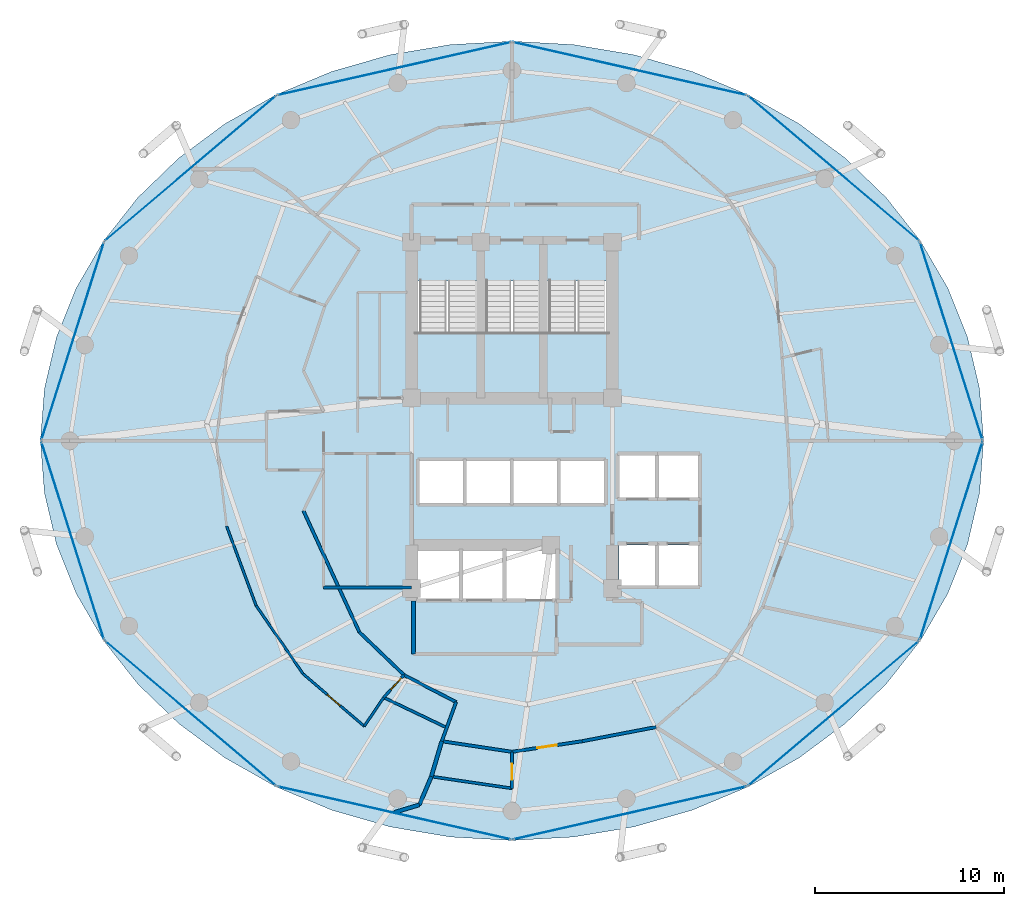
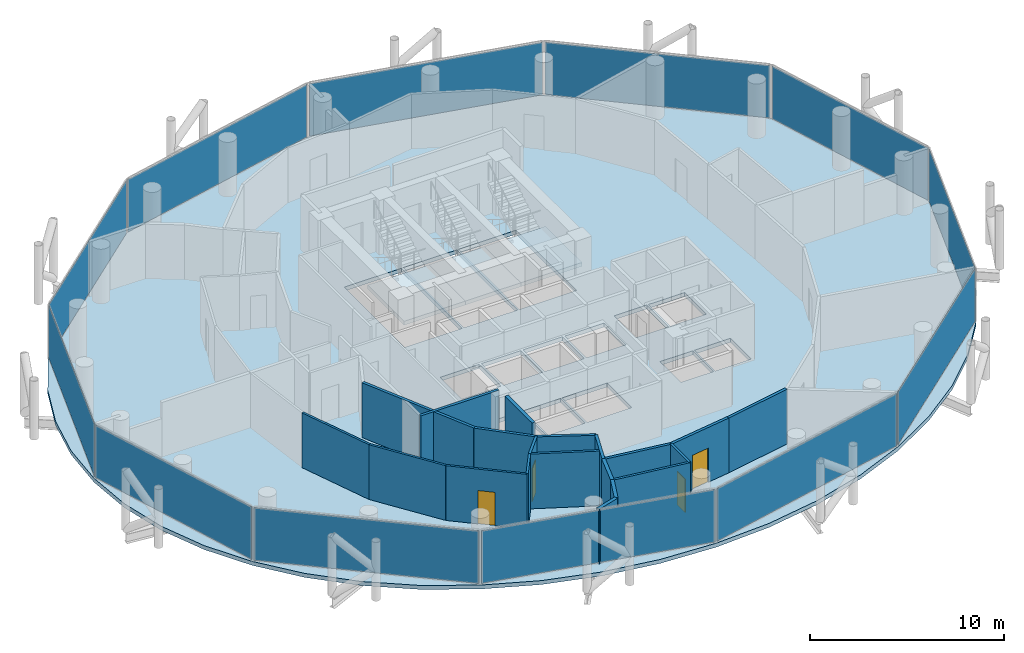
# One storey, part 21 of 26: 20 walls, 12 plates, 4 doors, 4 slabs, 4 openings, 15 elements without a shape of their own.
"""IFC4 building model written with IfcOpenShell, lengths in metres."""

import ifcopenshell
import ifcopenshell.guid

model = None  # the IFC model being written
_history = None  # IfcOwnerHistory: only IFC2X3 demands one
_inside = {}  # id of a spatial element -> (the spatial element, [elements in it])
_under = {}  # id of a project, library or spatial element -> (it, [spatial elements below it])
_declared = {}  # id of a project -> (the project, [libraries it declares])
_typed = {}  # id of a type object -> (the type object, [elements of that type])
_made_of = {}  # id of a material, layer set ... -> (it, [elements and type objects made of it])


def new_model(schema):
    """Start an empty IFC model of exactly this schema.

    Asked for "IFC4X3", IfcOpenShell would pick the latest addendum, in which some entities
    have other attributes; the version numbers below select the first issue.
    IFC2X3 requires an IfcOwnerHistory on every rooted entity: one is made here for all.
    """
    global model, _history
    if schema == "IFC4X3":
        model = ifcopenshell.file(schema_version=(4, 3, 0, 0))
    else:
        model = ifcopenshell.file(schema=schema)
    _inside.clear()
    _under.clear()
    _declared.clear()
    _typed.clear()
    _made_of.clear()
    _history = None
    if model.schema == "IFC2X3":
        org = make("IfcOrganization", Name="unknown")
        user = make(
            "IfcPersonAndOrganization",
            ThePerson=make("IfcPerson", FamilyName="unknown"),
            TheOrganization=org,
        )
        app = make(
            "IfcApplication",
            ApplicationDeveloper=org,
            Version="unknown",
            ApplicationFullName="unknown",
            ApplicationIdentifier="unknown",
        )
        _history = make(
            "IfcOwnerHistory",
            OwningUser=user,
            OwningApplication=app,
            ChangeAction="ADDED",
            CreationDate=0,
        )
    return model


def make(cls, **values):
    """One entity of the class cls with the attributes given. An attribute that is None is left unset."""
    return model.create_entity(
        cls, **{name: value for name, value in values.items() if value is not None}
    )


def rooted(cls, **values):
    """An entity with a GlobalId (a new one), such as an element, a storey or a relation."""
    return make(cls, GlobalId=ifcopenshell.guid.new(), OwnerHistory=_history, **values)


def si_unit(unit_type, name, prefix=None):
    """IfcSIUnit, for example si_unit("LENGTHUNIT", "METRE", prefix="MILLI")."""
    return make("IfcSIUnit", UnitType=unit_type, Prefix=prefix, Name=name)


def assignment(units):
    """IfcUnitAssignment: the units of a project."""
    return None if units is None else make("IfcUnitAssignment", Units=units)


def point(xyz):
    """IfcCartesianPoint."""
    return None if xyz is None else make("IfcCartesianPoint", Coordinates=xyz)


def direction(xyz):
    """IfcDirection."""
    return None if xyz is None else make("IfcDirection", DirectionRatios=xyz)


def frame(location, z_axis=None, x_axis=None):
    """IfcAxis2Placement3D, a coordinate frame: its origin and axes. An axis left out is left unset."""
    return make(
        "IfcAxis2Placement3D",
        Location=point(location),
        Axis=direction(z_axis),
        RefDirection=direction(x_axis),
    )


def frame_2d(location, x_axis=None):
    """IfcAxis2Placement2D, a coordinate frame in the plane: its origin and x axis."""
    return make(
        "IfcAxis2Placement2D", Location=point(location), RefDirection=direction(x_axis)
    )


def origin():
    """The frame at (0, 0, 0) with its axes left unset."""
    return frame((0.0, 0.0, 0.0))


def origin_2d():
    """The frame at (0, 0) in the plane with its x axis left unset."""
    return frame_2d((0.0, 0.0))


def place(relative_to, where):
    """IfcLocalPlacement: puts the frame where relative to a parent placement (None: the world)."""
    return make(
        "IfcLocalPlacement", PlacementRelTo=relative_to, RelativePlacement=where
    )


def context(
    kind, dimensions, precision=None, world=None, true_north=None, identifier=None
):
    """IfcGeometricRepresentationContext, for example the 3D "Model" context."""
    return make(
        "IfcGeometricRepresentationContext",
        ContextIdentifier=identifier,
        ContextType=kind,
        CoordinateSpaceDimension=dimensions,
        Precision=precision,
        WorldCoordinateSystem=world,
        TrueNorth=true_north,
    )


def subcontext(parent, identifier, kind, view, scale=None):
    """IfcGeometricRepresentationSubContext, for example "Body" below "Model"."""
    return make(
        "IfcGeometricRepresentationSubContext",
        ContextIdentifier=identifier,
        ContextType=kind,
        ParentContext=parent,
        TargetScale=scale,
        TargetView=view,
    )


def project(units=None, contexts=None):
    """IfcProject with its units and contexts."""
    return rooted(
        "IfcProject",
        Name="project",
        RepresentationContexts=contexts,
        UnitsInContext=assignment(units),
    )


def spatial(cls, under=None, at=None, **own):
    """A site, building, storey or space (cls), placed at a placement, below another one or the project."""
    s = rooted(cls, ObjectPlacement=at, **own)
    if under is not None:
        _under.setdefault(under.id(), (under, []))[1].append(s)
    return s


def polyline(points):
    """IfcPolyline through the points."""
    return make("IfcPolyline", Points=[point(p) for p in points])


def profile(cls, at=None, kind="AREA", **sizes):
    """A parametric profile (cls). Its sizes go by their IFC names, for example OverallWidth=200.0."""
    return make(cls, ProfileType=kind, Position=at, **sizes)


def rectangle(**sizes):
    """IfcRectangleProfileDef."""
    return profile("IfcRectangleProfileDef", **sizes)


def outline(outer, holes=None, kind="AREA"):
    """IfcArbitraryClosedProfileDef: a profile drawn as a closed curve; with holes, ...WithVoids."""
    if holes is None:
        return make("IfcArbitraryClosedProfileDef", ProfileType=kind, OuterCurve=outer)
    return make(
        "IfcArbitraryProfileDefWithVoids",
        ProfileType=kind,
        OuterCurve=outer,
        InnerCurves=holes,
    )


def extrude(swept, where, along, depth):
    """IfcExtrudedAreaSolid: the profile swept, set in the frame where, extruded along a direction by depth."""
    return make(
        "IfcExtrudedAreaSolid",
        SweptArea=swept,
        Position=where,
        ExtrudedDirection=direction(along),
        Depth=depth,
    )


def shape(context_of_items, identifier, shape_type, items):
    """IfcShapeRepresentation: the items that make up one representation, for example the "Body"."""
    return make(
        "IfcShapeRepresentation",
        ContextOfItems=context_of_items,
        RepresentationIdentifier=identifier,
        RepresentationType=shape_type,
        Items=items,
    )


def material(Name=None, Category=None):
    """IfcMaterial."""
    return make("IfcMaterial", Name=Name, Category=Category)


def layer(
    of_material, thickness, ventilated=None, Name=None, Category=None, Priority=None
):
    """IfcMaterialLayer: one layer of a wall or slab, of a material (None: an air gap)."""
    return make(
        "IfcMaterialLayer",
        Material=of_material,
        LayerThickness=thickness,
        IsVentilated=ventilated,
        Name=Name,
        Category=Category,
        Priority=Priority,
    )


def layer_set(layers, Name=None):
    """IfcMaterialLayerSet."""
    return make("IfcMaterialLayerSet", MaterialLayers=layers, LayerSetName=Name)


def made_of(thing, what):
    """Note that an element or type object is made of a material, layer set ...; save() writes the relation."""
    if what is not None:
        _made_of.setdefault(what.id(), (what, []))[1].append(thing)
    return thing


def type_object(cls, material=None, **own):
    """A type object (cls), such as IfcWallType, which elements share."""
    return made_of(rooted(cls, **own), material)


def element(
    cls,
    number,
    at=None,
    inside=None,
    cuts=None,
    type_object=None,
    material=None,
    context=None,
    identifier="Body",
    shape_type=None,
    held_by="IfcProductDefinitionShape",
    body=None,
    shapes=None,
    **own,
):
    """One element of the class cls, such as IfcWall. Its Tag is "e" and its number.

    at: its placement. inside: the storey or other place that contains it. cuts: it is an
    opening in that element (IfcRelVoidsElement). A single representation is given by context,
    identifier, shape_type and body (its items); several are given by shapes. held_by: the class
    of the entity that holds the representations. save() writes the other relations.
    """
    e = rooted(cls, Tag="e%d" % number, ObjectPlacement=at, **own)
    if body is not None:
        shapes = [shape(context, identifier, shape_type, body)]
    if shapes is not None:
        e.Representation = make(held_by, Representations=shapes)
    if inside is not None:
        _inside.setdefault(inside.id(), (inside, []))[1].append(e)
    if cuts is not None:
        rooted(
            "IfcRelVoidsElement", RelatingBuildingElement=cuts, RelatedOpeningElement=e
        )
    if type_object is not None:
        _typed.setdefault(type_object.id(), (type_object, []))[1].append(e)
    return made_of(e, material)


def fill(opening, filler):
    """IfcRelFillsElement: the door or window that sits in an opening."""
    return rooted(
        "IfcRelFillsElement",
        RelatingOpeningElement=opening,
        RelatedBuildingElement=filler,
    )


def aggregate(whole, parts):
    """IfcRelAggregates: a whole, such as a stair, and the parts it consists of."""
    return rooted("IfcRelAggregates", RelatingObject=whole, RelatedObjects=parts)


def save(model, path):
    """Write the relations noted so far, then the file.

    IfcRelAggregates (storeys below a building ...), IfcRelContainedInSpatialStructure (elements
    in a storey), IfcRelDefinesByType, IfcRelAssociatesMaterial and IfcRelDeclares: one each for
    every whole, place, type object, material and project.
    """
    for whole, parts in _under.values():
        aggregate(whole, parts)
    for where, things in _inside.values():
        rooted(
            "IfcRelContainedInSpatialStructure",
            RelatedElements=things,
            RelatingStructure=where,
        )
    for kind, things in _typed.values():
        rooted("IfcRelDefinesByType", RelatedObjects=things, RelatingType=kind)
    for what, things in _made_of.values():
        rooted("IfcRelAssociatesMaterial", RelatedObjects=things, RelatingMaterial=what)
    for by, libraries in _declared.values():
        rooted("IfcRelDeclares", RelatingContext=by, RelatedDefinitions=libraries)
    model.write(path)


model = new_model("IFC4")

# Units and contexts
model_context = context("Model", 3, precision=1e-05, world=origin(), true_north=direction((0.0, 1.0)))
body_context = subcontext(model_context, "Body", "Model", "MODEL_VIEW")
ifc_project = project(units=[si_unit("LENGTHUNIT", "METRE"), si_unit("AREAUNIT", "SQUARE_METRE"), si_unit("VOLUMEUNIT", "CUBIC_METRE"), si_unit("PLANEANGLEUNIT", "RADIAN"), si_unit("MASSUNIT", "GRAM", prefix="KILO")], contexts=[model_context])

# Site, building, storey
site_placement = place(None, origin())
site = spatial("IfcSite", under=ifc_project, at=site_placement, CompositionType="ELEMENT")
building_placement = place(site_placement, origin())
building = spatial("IfcBuilding", under=site, at=building_placement, Name="Nuhasar Tower", CompositionType="ELEMENT")
storey_placement = place(building_placement, frame((0.0, 0.0, 177.449951171875)))
storey = spatial("IfcBuildingStorey", under=building, at=storey_placement, Name="L43", CompositionType="ELEMENT", Elevation=177.449951171875)

# Curtain wall, plate
ifc_material_1 = material(Name="Aluminium 6063-T6", Category="aluminium")
ifc_layer_1 = layer(ifc_material_1, 0.199951171875)
ifc_layer_set_1 = layer_set([ifc_layer_1], Name="Aluminium 6063-T6")
curtain_wall_type = type_object("IfcCurtainWallType", Name="CW-Z2-HTL", PredefinedType="NOTDEFINED", material=ifc_layer_set_1)
curtain_wall_1_placement = place(storey_placement, origin())
curtain_wall_1 = element("IfcCurtainWall", 1, at=curtain_wall_1_placement, inside=storey, type_object=curtain_wall_type, Name="L43 Unitised Curtain Wall 01", PredefinedType="NOTDEFINED")
ifc_material_2 = material(Name="Glass Double Low-E", Category="glass")
ifc_layer_2 = layer(ifc_material_2, 0.028076171875)
ifc_layer_set_2 = layer_set([ifc_layer_2], Name="Glass Double Low-E")
plate_type = type_object("IfcPlateType", Name="CW-PANEL-GLZ", PredefinedType="CURTAIN_PANEL", material=ifc_layer_set_2)
plate_1_placement = place(storey_placement, frame((62.194580078125, 32.06494140625, 0.070068359375), z_axis=(0.0, 0.0, 1.0), x_axis=(-0.301603667577, 0.953433389233, 0.0)))
plate_1 = element("IfcPlate", 2, at=plate_1_placement, type_object=plate_type, Name="CW-Z2 panel 1.1", PredefinedType="CURTAIN_PANEL", context=body_context, shape_type="SweptSolid", body=[
    extrude(rectangle(XDim=10.904296875, YDim=0.028076171875, at=origin_2d()), origin(), (0.0, 0.0, 1.0), 3.31005859375),
])
aggregate(curtain_wall_1, [plate_1])

curtain_wall_2_placement = place(storey_placement, origin())
curtain_wall_2 = element("IfcCurtainWall", 3, at=curtain_wall_2_placement, inside=storey, type_object=curtain_wall_type, Name="L43 Unitised Curtain Wall 02", PredefinedType="NOTDEFINED")
plate_2_placement = place(storey_placement, frame((55.9794921875, 41.18408203125, 0.070068359375), z_axis=(0.0, 0.0, 1.0), x_axis=(-0.763020370292, 0.646374438324, 0.0)))
plate_2 = element("IfcPlate", 4, at=plate_2_placement, type_object=plate_type, Name="CW-Z2 panel 1.1", PredefinedType="CURTAIN_PANEL", context=body_context, shape_type="SweptSolid", body=[
    extrude(rectangle(XDim=11.784912109375, YDim=0.028076171875, at=origin_2d()), origin(), (0.0, 0.0, 1.0), 3.31005859375),
])
aggregate(curtain_wall_2, [plate_2])

curtain_wall_3_placement = place(storey_placement, origin())
curtain_wall_3 = element("IfcCurtainWall", 5, at=curtain_wall_3_placement, inside=storey, type_object=curtain_wall_type, Name="L43 Unitised Curtain Wall 03", PredefinedType="NOTDEFINED")
plate_3_placement = place(storey_placement, frame((45.215087890625, 46.448974609375, 0.070068359375), z_axis=(0.0, 0.0, 1.0), x_axis=(-0.975183694221, 0.22139729566, 0.0)))
plate_3 = element("IfcPlate", 6, at=plate_3_placement, type_object=plate_type, Name="CW-Z2 panel 1.1", PredefinedType="CURTAIN_PANEL", context=body_context, shape_type="SweptSolid", body=[
    extrude(rectangle(XDim=12.606201171875, YDim=0.028076171875, at=origin_2d()), origin(), (0.0, 0.0, 1.0), 3.31005859375),
])
aggregate(curtain_wall_3, [plate_3])

curtain_wall_4_placement = place(storey_placement, origin())
curtain_wall_4 = element("IfcCurtainWall", 7, at=curtain_wall_4_placement, inside=storey, type_object=curtain_wall_type, Name="L43 Unitised Curtain Wall 04", PredefinedType="NOTDEFINED")
plate_4_placement = place(storey_placement, frame((32.784912109375, 46.448974609375, 0.070068359375), z_axis=(0.0, 0.0, 1.0), x_axis=(-0.975183694221, -0.22139729566, 0.0)))
plate_4 = element("IfcPlate", 8, at=plate_4_placement, type_object=plate_type, Name="CW-Z2 panel 1.1", PredefinedType="CURTAIN_PANEL", context=body_context, shape_type="SweptSolid", body=[
    extrude(rectangle(XDim=12.606201171875, YDim=0.028076171875, at=origin_2d()), origin(), (0.0, 0.0, 1.0), 3.31005859375),
])
aggregate(curtain_wall_4, [plate_4])

curtain_wall_5_placement = place(storey_placement, origin())
curtain_wall_5 = element("IfcCurtainWall", 9, at=curtain_wall_5_placement, inside=storey, type_object=curtain_wall_type, Name="L43 Unitised Curtain Wall 05", PredefinedType="NOTDEFINED")
plate_5_placement = place(storey_placement, frame((22.0205078125, 41.18408203125, 0.070068359375), z_axis=(0.0, 0.0, 1.0), x_axis=(-0.763020370292, -0.646374438324, 0.0)))
plate_5 = element("IfcPlate", 10, at=plate_5_placement, type_object=plate_type, Name="CW-Z2 panel 1.1", PredefinedType="CURTAIN_PANEL", context=body_context, shape_type="SweptSolid", body=[
    extrude(rectangle(XDim=11.784912109375, YDim=0.028076171875, at=origin_2d()), origin(), (0.0, 0.0, 1.0), 3.31005859375),
])
aggregate(curtain_wall_5, [plate_5])

curtain_wall_6_placement = place(storey_placement, origin())
curtain_wall_6 = element("IfcCurtainWall", 11, at=curtain_wall_6_placement, inside=storey, type_object=curtain_wall_type, Name="L43 Unitised Curtain Wall 06", PredefinedType="NOTDEFINED")
plate_6_placement = place(storey_placement, frame((15.805419921875, 32.06494140625, 0.070068359375), z_axis=(0.0, 0.0, 1.0), x_axis=(-0.301603667577, -0.953433389233, 0.0)))
plate_6 = element("IfcPlate", 12, at=plate_6_placement, type_object=plate_type, Name="CW-Z2 panel 1.1", PredefinedType="CURTAIN_PANEL", context=body_context, shape_type="SweptSolid", body=[
    extrude(rectangle(XDim=10.904296875, YDim=0.028076171875, at=origin_2d()), origin(), (0.0, 0.0, 1.0), 3.31005859375),
])
aggregate(curtain_wall_6, [plate_6])

curtain_wall_7_placement = place(storey_placement, origin())
curtain_wall_7 = element("IfcCurtainWall", 13, at=curtain_wall_7_placement, inside=storey, type_object=curtain_wall_type, Name="L43 Unitised Curtain Wall 07", PredefinedType="NOTDEFINED")
plate_7_placement = place(storey_placement, frame((15.805419921875, 21.534912109375, 0.070068359375), z_axis=(0.0, 0.0, 1.0), x_axis=(0.301603667577, -0.953433389233, 0.0)))
plate_7 = element("IfcPlate", 14, at=plate_7_placement, type_object=plate_type, Name="CW-Z2 panel 1.1", PredefinedType="CURTAIN_PANEL", context=body_context, shape_type="SweptSolid", body=[
    extrude(rectangle(XDim=10.904296875, YDim=0.028076171875, at=origin_2d()), origin(), (0.0, 0.0, 1.0), 3.31005859375),
])
aggregate(curtain_wall_7, [plate_7])

curtain_wall_8_placement = place(storey_placement, origin())
curtain_wall_8 = element("IfcCurtainWall", 15, at=curtain_wall_8_placement, inside=storey, type_object=curtain_wall_type, Name="L43 Unitised Curtain Wall 08", PredefinedType="NOTDEFINED")
plate_8_placement = place(storey_placement, frame((22.0205078125, 12.416015625, 0.070068359375), z_axis=(0.0, 0.0, 1.0), x_axis=(0.763020370292, -0.646374438324, 0.0)))
plate_8 = element("IfcPlate", 16, at=plate_8_placement, type_object=plate_type, Name="CW-Z2 panel 1.1", PredefinedType="CURTAIN_PANEL", context=body_context, shape_type="SweptSolid", body=[
    extrude(rectangle(XDim=11.784912109375, YDim=0.028076171875, at=origin_2d()), origin(), (0.0, 0.0, 1.0), 3.31005859375),
])
aggregate(curtain_wall_8, [plate_8])

curtain_wall_9_placement = place(storey_placement, origin())
curtain_wall_9 = element("IfcCurtainWall", 17, at=curtain_wall_9_placement, inside=storey, type_object=curtain_wall_type, Name="L43 Unitised Curtain Wall 09", PredefinedType="NOTDEFINED")
plate_9_placement = place(storey_placement, frame((32.784912109375, 7.15087890625, 0.070068359375), z_axis=(0.0, 0.0, 1.0), x_axis=(0.975183694221, -0.22139729566, 0.0)))
plate_9 = element("IfcPlate", 18, at=plate_9_placement, type_object=plate_type, Name="CW-Z2 panel 1.1", PredefinedType="CURTAIN_PANEL", context=body_context, shape_type="SweptSolid", body=[
    extrude(rectangle(XDim=12.606201171875, YDim=0.028076171875, at=origin_2d()), origin(), (0.0, 0.0, 1.0), 3.31005859375),
])
aggregate(curtain_wall_9, [plate_9])

curtain_wall_10_placement = place(storey_placement, origin())
curtain_wall_10 = element("IfcCurtainWall", 19, at=curtain_wall_10_placement, inside=storey, type_object=curtain_wall_type, Name="L43 Unitised Curtain Wall 10", PredefinedType="NOTDEFINED")
plate_10_placement = place(storey_placement, frame((45.215087890625, 7.15087890625, 0.070068359375), z_axis=(0.0, 0.0, 1.0), x_axis=(0.975183694221, 0.22139729566, 0.0)))
plate_10 = element("IfcPlate", 20, at=plate_10_placement, type_object=plate_type, Name="CW-Z2 panel 1.1", PredefinedType="CURTAIN_PANEL", context=body_context, shape_type="SweptSolid", body=[
    extrude(rectangle(XDim=12.606201171875, YDim=0.028076171875, at=origin_2d()), origin(), (0.0, 0.0, 1.0), 3.31005859375),
])
aggregate(curtain_wall_10, [plate_10])

curtain_wall_11_placement = place(storey_placement, origin())
curtain_wall_11 = element("IfcCurtainWall", 21, at=curtain_wall_11_placement, inside=storey, type_object=curtain_wall_type, Name="L43 Unitised Curtain Wall 11", PredefinedType="NOTDEFINED")
plate_11_placement = place(storey_placement, frame((55.9794921875, 12.416015625, 0.070068359375), z_axis=(0.0, 0.0, 1.0), x_axis=(0.763020370292, 0.646374438324, 0.0)))
plate_11 = element("IfcPlate", 22, at=plate_11_placement, type_object=plate_type, Name="CW-Z2 panel 1.1", PredefinedType="CURTAIN_PANEL", context=body_context, shape_type="SweptSolid", body=[
    extrude(rectangle(XDim=11.784912109375, YDim=0.028076171875, at=origin_2d()), origin(), (0.0, 0.0, 1.0), 3.31005859375),
])
aggregate(curtain_wall_11, [plate_11])

curtain_wall_12_placement = place(storey_placement, origin())
curtain_wall_12 = element("IfcCurtainWall", 23, at=curtain_wall_12_placement, inside=storey, type_object=curtain_wall_type, Name="L43 Unitised Curtain Wall 12", PredefinedType="NOTDEFINED")
plate_12_placement = place(storey_placement, frame((62.194580078125, 21.534912109375, 0.070068359375), z_axis=(0.0, 0.0, 1.0), x_axis=(0.301603667577, 0.953433389233, 0.0)))
plate_12 = element("IfcPlate", 24, at=plate_12_placement, type_object=plate_type, Name="CW-Z2 panel 1.1", PredefinedType="CURTAIN_PANEL", context=body_context, shape_type="SweptSolid", body=[
    extrude(rectangle(XDim=10.904296875, YDim=0.028076171875, at=origin_2d()), origin(), (0.0, 0.0, 1.0), 3.31005859375),
])
aggregate(curtain_wall_12, [plate_12])

# Stair, slab
ifc_material_3 = material(Name="Concrete C45/55", Category="concrete")
stair_type_1 = type_object("IfcStairType", Name="STR-ST-01-2F-22R-1682", PredefinedType="HALF_TURN_STAIR", material=ifc_material_3)
stair_1_placement = place(storey_placement, origin())
stair_1 = element("IfcStair", 25, at=stair_1_placement, inside=storey, type_object=stair_type_1, Name="L43 Exit Stair ST-01", PredefinedType="HALF_TURN_STAIR")
ifc_layer_3 = layer(ifc_material_3, 0.239990234375)
ifc_layer_set_3 = layer_set([ifc_layer_3], Name="Concrete C45/55")
slab_type_1 = type_object("IfcSlabType", Name="SLB-STAIR-LND-240", PredefinedType="LANDING", material=ifc_layer_set_3)
slab_1_placement = place(storey_placement, frame((0.0, 0.0, 1.610107421875)))
slab_1 = element("IfcSlab", 26, at=slab_1_placement, type_object=slab_type_1, Name="ST-01 landing 1", PredefinedType="LANDING", context=body_context, shape_type="SweptSolid", body=[
    extrude(outline(polyline([(33.699951171875, 28.75), (37.35009765625, 28.75), (37.35009765625, 32.52001953125), (33.699951171875, 32.52001953125), (33.699951171875, 28.75)])), origin(), (0.0, 0.0, 1.0), 0.239990234375),
])
aggregate(stair_1, [slab_1])

stair_type_2 = type_object("IfcStairType", Name="STR-ST-03-2F-22R-1682", PredefinedType="HALF_TURN_STAIR", material=ifc_material_3)
stair_2_placement = place(storey_placement, origin())
stair_2 = element("IfcStair", 27, at=stair_2_placement, inside=storey, type_object=stair_type_2, Name="L43 Exit Stair ST-03", PredefinedType="HALF_TURN_STAIR")
slab_2_placement = place(storey_placement, frame((0.0, 0.0, 1.610107421875)))
slab_2 = element("IfcSlab", 28, at=slab_2_placement, type_object=slab_type_1, Name="ST-03 landing 1", PredefinedType="LANDING", context=body_context, shape_type="SweptSolid", body=[
    extrude(outline(polyline([(37.35009765625, 28.75), (40.64990234375, 28.75), (40.64990234375, 32.52001953125), (37.35009765625, 32.52001953125), (37.35009765625, 28.75)])), origin(), (0.0, 0.0, 1.0), 0.239990234375),
])
aggregate(stair_2, [slab_2])

stair_type_3 = type_object("IfcStairType", Name="STR-ST-02-2F-22R-1682", PredefinedType="HALF_TURN_STAIR", material=ifc_material_3)
stair_3_placement = place(storey_placement, origin())
stair_3 = element("IfcStair", 29, at=stair_3_placement, inside=storey, type_object=stair_type_3, Name="L43 Exit Stair ST-02", PredefinedType="HALF_TURN_STAIR")
slab_3_placement = place(storey_placement, frame((0.0, 0.0, 1.610107421875)))
slab_3 = element("IfcSlab", 30, at=slab_3_placement, type_object=slab_type_1, Name="ST-02 landing 1", PredefinedType="LANDING", context=body_context, shape_type="SweptSolid", body=[
    extrude(outline(polyline([(40.64990234375, 28.75), (44.300048828125, 28.75), (44.300048828125, 32.52001953125), (40.64990234375, 32.52001953125), (40.64990234375, 28.75)])), origin(), (0.0, 0.0, 1.0), 0.239990234375),
])
aggregate(stair_3, [slab_3])

# Slab
ifc_layer_4 = layer(ifc_material_3, 0.25)
ifc_layer_set_4 = layer_set([ifc_layer_4], Name="Concrete C45/55")
slab_type_2 = type_object("IfcSlabType", Name="SLB-Z1B-250", PredefinedType="FLOOR", material=ifc_layer_set_4)
slab_4_placement = place(storey_placement, frame((0.0, 0.0, -0.25)))
element("IfcSlab", 31, at=slab_4_placement, inside=storey, type_object=slab_type_2, Name="L43 Structural Slab", PredefinedType="FLOOR", context=body_context, shape_type="SweptSolid", body=[
    extrude(outline(polyline([(63.89990234375, 26.800048828125), (63.68701171875, 29.553955078125), (63.052001953125, 32.260986328125), (62.0048828125, 34.875), (60.56396484375, 37.35009765625), (58.75390625, 39.64501953125), (56.60693359375, 41.719970703125), (54.157958984375, 43.5400390625), (51.449951171875, 45.072998046875), (48.529052734375, 46.2939453125), (45.445068359375, 47.180908203125), (42.25, 47.718994140625), (39.0, 47.89990234375), (35.75, 47.718994140625), (32.554931640625, 47.180908203125), (29.470947265625, 46.2939453125), (26.550048828125, 45.072998046875), (23.842041015625, 43.5400390625), (21.39306640625, 41.719970703125), (19.24609375, 39.64501953125), (17.43603515625, 37.35009765625), (15.9951171875, 34.875), (14.947998046875, 32.260986328125), (14.31298828125, 29.553955078125), (14.10009765625, 26.800048828125), (14.31298828125, 24.0458984375), (14.947998046875, 21.339111328125), (15.9951171875, 18.72509765625), (17.43603515625, 16.25), (19.24609375, 13.955078125), (21.39306640625, 11.8798828125), (23.842041015625, 10.06005859375), (26.550048828125, 8.527099609375), (29.470947265625, 7.305908203125), (32.554931640625, 6.4189453125), (35.75, 5.881103515625), (39.0, 5.699951171875), (42.25, 5.881103515625), (45.445068359375, 6.4189453125), (48.529052734375, 7.305908203125), (51.449951171875, 8.527099609375), (54.157958984375, 10.06005859375), (56.60693359375, 11.8798828125), (58.75390625, 13.955078125), (60.56396484375, 16.25), (62.0048828125, 18.72509765625), (63.052001953125, 21.339111328125), (63.68701171875, 24.0458984375), (63.89990234375, 26.800048828125)]), holes=[polyline([(33.8798828125, 35.25), (37.300048828125, 35.25), (37.300048828125, 29.0), (33.8798828125, 29.0), (33.8798828125, 35.25)]), polyline([(37.39990234375, 35.25), (40.60009765625, 35.25), (40.60009765625, 29.0), (37.39990234375, 29.0), (37.39990234375, 35.25)]), polyline([(40.699951171875, 35.25), (44.1201171875, 35.25), (44.1201171875, 29.0), (40.699951171875, 29.0), (40.699951171875, 35.25)]), polyline([(44.64990234375, 26.050048828125), (46.60009765625, 26.050048828125), (46.60009765625, 23.800048828125), (44.64990234375, 23.800048828125), (44.64990234375, 26.050048828125)]), polyline([(46.699951171875, 26.050048828125), (48.85009765625, 26.050048828125), (48.85009765625, 23.800048828125), (46.699951171875, 23.800048828125), (46.699951171875, 26.050048828125)]), polyline([(44.64990234375, 21.300048828125), (46.60009765625, 21.300048828125), (46.60009765625, 19.14990234375), (44.64990234375, 19.14990234375), (44.64990234375, 21.300048828125)]), polyline([(46.699951171875, 21.300048828125), (48.85009765625, 21.300048828125), (48.85009765625, 19.14990234375), (46.699951171875, 19.14990234375), (46.699951171875, 21.300048828125)]), polyline([(34.10009765625, 25.75), (36.43994140625, 25.75), (36.43994140625, 23.5), (34.10009765625, 23.5), (34.10009765625, 25.75)]), polyline([(36.580078125, 25.75), (38.919921875, 25.75), (38.919921875, 23.5), (36.580078125, 23.5), (36.580078125, 25.75)]), polyline([(39.06005859375, 25.75), (41.39990234375, 25.75), (41.39990234375, 23.5), (39.06005859375, 23.5), (39.06005859375, 25.75)]), polyline([(41.5400390625, 25.75), (43.8798828125, 25.75), (43.8798828125, 23.5), (41.5400390625, 23.5), (41.5400390625, 25.75)]), polyline([(34.050048828125, 21.0), (36.25, 21.0), (36.25, 18.449951171875), (34.050048828125, 18.449951171875), (34.050048828125, 21.0)]), polyline([(36.35009765625, 21.0), (38.550048828125, 21.0), (38.550048828125, 18.449951171875), (36.35009765625, 18.449951171875), (36.35009765625, 21.0)]), polyline([(38.64990234375, 21.0), (41.320068359375, 21.0), (41.320068359375, 18.449951171875), (38.64990234375, 18.449951171875), (38.64990234375, 21.0)])]), origin(), (0.0, 0.0, 1.0), 0.25),
])

# Walls
ifc_material_4 = material(Name="Gypsum Board", Category="gypsum")
ifc_layer_5 = layer(ifc_material_4, 0.159912109375)
ifc_layer_set_5 = layer_set([ifc_layer_5], Name="Gypsum Board")
wall_type_1 = type_object("IfcWallType", Name="WL-CORR-160", PredefinedType="PARTITIONING", material=ifc_layer_set_5)
wall_1_placement = place(storey_placement, frame((29.050048828125, 19.050048828125, 0.0), z_axis=(0.0, 0.0, 1.0), x_axis=(1.0, 0.0, 0.0)))
element("IfcWall", 32, at=wall_1_placement, inside=storey, type_object=wall_type_1, Name="L43 Interior Partition RECL-B1-S", PredefinedType="PARTITIONING", context=body_context, shape_type="SweptSolid", body=[
    extrude(rectangle(XDim=4.64990234375, YDim=0.159912109375, at=frame_2d((2.324951171875, 0.0))), origin(), (0.0, 0.0, 1.0), 3.449951171875),
])
wall_2_placement = place(storey_placement, frame((35.2939453125, 10.93896484375, 0.0), z_axis=(0.0, 0.0, 1.0), x_axis=(0.988811779908, -0.149168575493, 0.0)))
element("IfcWall", 33, at=wall_2_placement, inside=storey, type_object=wall_type_1, Name="L43 Interior Partition CORR-34", PredefinedType="PARTITIONING", context=body_context, shape_type="SweptSolid", body=[
    extrude(rectangle(XDim=3.748046875, YDim=0.159912109375, at=frame_2d((1.8740234375, 0.0))), origin(), (0.0, 0.0, 1.0), 3.449951171875),
])

# Wall, opening, door
wall_3_placement = place(storey_placement, frame((42.7060546875, 10.93896484375, 0.0), z_axis=(0.0, 0.0, 1.0), x_axis=(-0.988811779908, -0.149168575493, 0.0)))
wall_3 = element("IfcWall", 34, at=wall_3_placement, inside=storey, type_object=wall_type_1, Name="L43 Interior Partition CORR-36", PredefinedType="PARTITIONING", context=body_context, shape_type="SweptSolid", body=[
    extrude(rectangle(XDim=3.748046875, YDim=0.159912109375, at=frame_2d((1.8740234375, 0.0))), origin(), (0.0, 0.0, 1.0), 3.449951171875),
])
opening_1_placement = place(wall_3_placement, frame((1.34912109375, 0.0, 0.0)))
opening_1 = element("IfcOpeningElement", 35, at=opening_1_placement, cuts=wall_3, Name="Opening DU-01", PredefinedType="OPENING", context=body_context, shape_type="SweptSolid", body=[
    extrude(rectangle(XDim=1.050048828125, YDim=2.14990234375, at=frame_2d((0.52490234375, 1.074951171875))), frame((0.0, 0.08984375, 0.0), z_axis=(0.0, -1.0, 0.0), x_axis=(1.0, 0.0, 0.0)), (0.0, 0.0, 1.0), 0.179931640625),
])
ifc_material_5 = material(Name="Timber Oak", Category="wood")
door_type_1 = type_object("IfcDoorType", Name="DR-SUITE-FD60-1050", OperationType="NOTDEFINED", PredefinedType="DOOR", material=ifc_material_5)
door_1_placement = place(opening_1_placement, origin())
door_1 = element("IfcDoor", 36, at=door_1_placement, inside=storey, type_object=door_type_1, Name="L43 Family Suite 01 Entrance Door", OperationType="SINGLE_SWING_RIGHT", OverallHeight=2.14990234375, OverallWidth=1.050048828125, PredefinedType="DOOR", context=body_context, shape_type="SweptSolid", body=[
    extrude(rectangle(XDim=1.050048828125, YDim=2.14990234375, at=frame_2d((0.52490234375, 1.074951171875))), frame((0.0, 0.02490234375, 0.0), z_axis=(0.0, -1.0, 0.0), x_axis=(1.0, 0.0, 0.0)), (0.0, 0.0, 1.0), 0.050048828125),
])
fill(opening_1, door_1)

# Walls
wall_4_placement = place(storey_placement, frame((42.7060546875, 10.93896484375, 0.0), z_axis=(0.0, 0.0, 1.0), x_axis=(0.982133702628, 0.188184457811, 0.0)))
element("IfcWall", 37, at=wall_4_placement, inside=storey, type_object=wall_type_1, Name="L43 Interior Partition CORR-38", PredefinedType="PARTITIONING", context=body_context, shape_type="SweptSolid", body=[
    extrude(rectangle(XDim=3.97509765625, YDim=0.159912109375, at=frame_2d((1.987548828125, 0.0))), origin(), (0.0, 0.0, 1.0), 3.449951171875),
])
wall_5_placement = place(storey_placement, frame((36.049072265625, 13.007080078125, 0.0), z_axis=(0.0, 0.0, 1.0), x_axis=(-0.342980355209, -0.939342576455, 0.0)))
element("IfcWall", 38, at=wall_5_placement, inside=storey, type_object=wall_type_1, Name="L43 Interior Partition HRAD-34-IN", PredefinedType="PARTITIONING", context=body_context, shape_type="SweptSolid", body=[
    extrude(rectangle(XDim=2.20166015625, YDim=0.159912109375, at=frame_2d((1.100830078125, 0.0))), origin(), (0.0, 0.0, 1.0), 3.449951171875),
])
wall_6_placement = place(storey_placement, frame((27.988037109375, 23.10400390625, 0.0), z_axis=(0.0, 0.0, 1.0), x_axis=(0.418656179426, -0.908144814128, 0.0)))
element("IfcWall", 39, at=wall_6_placement, inside=storey, type_object=wall_type_1, Name="L43 Interior Partition HWEST-CORE-S1-26", PredefinedType="PARTITIONING", context=body_context, shape_type="SweptSolid", body=[
    extrude(rectangle(XDim=7.048583984375, YDim=0.159912109375, at=frame_2d((3.5244140625, 0.0))), origin(), (0.0, 0.0, 1.0), 3.449951171875),
])
wall_7_placement = place(storey_placement, frame((30.93896484375, 16.702880859375, 0.0), z_axis=(0.0, 0.0, 1.0), x_axis=(0.72090897908, -0.693029756851, 0.0)))
element("IfcWall", 40, at=wall_7_placement, inside=storey, type_object=wall_type_1, Name="L43 Interior Partition HWEST-CORE-S2-30", PredefinedType="PARTITIONING", context=body_context, shape_type="SweptSolid", body=[
    extrude(rectangle(XDim=3.275146484375, YDim=0.159912109375, at=frame_2d((1.6376953125, 0.0))), origin(), (0.0, 0.0, 1.0), 3.449951171875),
])
wall_8_placement = place(storey_placement, frame((33.300048828125, 14.43310546875, 0.0), z_axis=(0.0, 0.0, 1.0), x_axis=(0.887674575788, -0.460471331898, 0.0)))
element("IfcWall", 41, at=wall_8_placement, inside=storey, type_object=wall_type_1, Name="L43 Interior Partition HWEST-CORE-S2-32", PredefinedType="PARTITIONING", context=body_context, shape_type="SweptSolid", body=[
    extrude(rectangle(XDim=3.096923828125, YDim=0.159912109375, at=frame_2d((1.54833984375, 0.0))), origin(), (0.0, 0.0, 1.0), 3.449951171875),
])
ifc_layer_6 = layer(ifc_material_3, 0.199951171875)
ifc_layer_set_6 = layer_set([ifc_layer_6], Name="Concrete C45/55")
wall_type_2 = type_object("IfcWallType", Name="WL-LOBBY-200", PredefinedType="SOLIDWALL", material=ifc_layer_set_6)
wall_9_placement = place(storey_placement, frame((33.800048828125, 15.550048828125, 0.0), z_axis=(0.0, 0.0, 1.0), x_axis=(0.0, 1.0, 0.0)))
element("IfcWall", 42, at=wall_9_placement, inside=storey, type_object=wall_type_2, Name="L43 Interior Partition FFL-W", PredefinedType="SOLIDWALL", context=body_context, shape_type="SweptSolid", body=[
    extrude(rectangle(XDim=2.800048828125, YDim=0.199951171875, at=frame_2d((1.39990234375, 0.0))), origin(), (0.0, 0.0, 1.0), 3.449951171875),
])
ifc_layer_7 = layer(ifc_material_4, 0.125)
ifc_layer_set_7 = layer_set([ifc_layer_7], Name="Gypsum Board")
wall_type_3 = type_object("IfcWallType", Name="WL-PART-125", PredefinedType="PARTITIONING", material=ifc_layer_set_7)
wall_10_placement = place(storey_placement, frame((32.22509765625, 13.2470703125, 0.0), z_axis=(0.0, 0.0, 1.0), x_axis=(-0.560137086464, -0.828399930207, 0.0)))
element("IfcWall", 43, at=wall_10_placement, inside=storey, type_object=wall_type_3, Name="L43 Interior Partition HWS2-N", PredefinedType="PARTITIONING", context=body_context, shape_type="SweptSolid", body=[
    extrude(rectangle(XDim=1.830078125, YDim=0.125, at=frame_2d((0.9150390625, 0.0))), origin(), (0.0, 0.0, 1.0), 3.449951171875),
])
wall_11_placement = place(storey_placement, frame((23.931884765625, 22.297119140625, 0.0), z_axis=(0.0, 0.0, 1.0), x_axis=(0.348031805078, -0.93748272659, 0.0)))
element("IfcWall", 44, at=wall_11_placement, inside=storey, type_object=wall_type_3, Name="L43 Interior Partition HWS2-ARC-26", PredefinedType="PARTITIONING", context=body_context, shape_type="SweptSolid", body=[
    extrude(rectangle(XDim=4.476806640625, YDim=0.125, at=frame_2d((2.23828125, 0.0))), origin(), (0.0, 0.0, 1.0), 3.449951171875),
])
wall_12_placement = place(storey_placement, frame((25.489990234375, 18.10009765625, 0.0), z_axis=(0.0, 0.0, 1.0), x_axis=(0.566723041571, -0.823908365143, 0.0)))
element("IfcWall", 45, at=wall_12_placement, inside=storey, type_object=wall_type_3, Name="L43 Interior Partition HWS2-ARC-28", PredefinedType="PARTITIONING", context=body_context, shape_type="SweptSolid", body=[
    extrude(rectangle(XDim=4.374267578125, YDim=0.125, at=frame_2d((2.18701171875, 0.0))), origin(), (0.0, 0.0, 1.0), 3.449951171875),
])

# Wall, opening, door
wall_13_placement = place(storey_placement, frame((27.968994140625, 14.49609375, 0.0), z_axis=(0.0, 0.0, 1.0), x_axis=(0.759750776123, -0.650214394013, 0.0)))
wall_13 = element("IfcWall", 46, at=wall_13_placement, inside=storey, type_object=wall_type_3, Name="L43 Interior Partition HWS2-ARC-30", PredefinedType="PARTITIONING", context=body_context, shape_type="SweptSolid", body=[
    extrude(rectangle(XDim=4.252685546875, YDim=0.125, at=frame_2d((2.12646484375, 0.0))), origin(), (0.0, 0.0, 1.0), 3.449951171875),
])
opening_2_placement = place(wall_13_placement, frame((1.676025390625, 0.0, 0.0)))
opening_2 = element("IfcOpeningElement", 47, at=opening_2_placement, cuts=wall_13, Name="Opening DR-01", PredefinedType="OPENING", context=body_context, shape_type="SweptSolid", body=[
    extrude(rectangle(XDim=0.89990234375, YDim=2.10009765625, at=frame_2d((0.449951171875, 1.050048828125))), frame((0.0, 0.072509765625, 0.0), z_axis=(0.0, -1.0, 0.0), x_axis=(1.0, 0.0, 0.0)), (0.0, 0.0, 1.0), 0.14501953125),
])
door_type_2 = type_object("IfcDoorType", Name="DR-ROOM-900", OperationType="NOTDEFINED", PredefinedType="DOOR", material=ifc_material_5)
door_2_placement = place(opening_2_placement, origin())
door_2 = element("IfcDoor", 48, at=door_2_placement, inside=storey, type_object=door_type_2, Name="L43 South-West Presidential Suite Bedroom Door", OperationType="SINGLE_SWING_LEFT", OverallHeight=2.10009765625, OverallWidth=0.89990234375, PredefinedType="DOOR", context=body_context, shape_type="SweptSolid", body=[
    extrude(rectangle(XDim=0.89990234375, YDim=2.10009765625, at=frame_2d((0.449951171875, 1.050048828125))), frame((0.0, 0.02490234375, 0.0), z_axis=(0.0, -1.0, 0.0), x_axis=(1.0, 0.0, 0.0)), (0.0, 0.0, 1.0), 0.050048828125),
])
fill(opening_2, door_2)

# Walls
ifc_material_6 = material(Name="Concrete C40/50 precast", Category="concrete")
ifc_layer_8 = layer(ifc_material_6, 0.199951171875)
ifc_layer_set_8 = layer_set([ifc_layer_8], Name="Concrete C40/50 precast")
wall_type_4 = type_object("IfcWallType", Name="WL-UNIT-200", PredefinedType="PARTITIONING", material=ifc_layer_set_8)
wall_14_placement = place(storey_placement, frame((35.2939453125, 10.93896484375, 0.0), z_axis=(0.0, 0.0, 1.0), x_axis=(-0.283947221883, -0.958839911135, 0.0)))
element("IfcWall", 49, at=wall_14_placement, inside=storey, type_object=wall_type_4, Name="L43 Interior Partition HRAD-34-OUT-S1", PredefinedType="PARTITIONING", context=body_context, shape_type="SweptSolid", body=[
    extrude(rectangle(XDim=1.944091796875, YDim=0.199951171875, at=frame_2d((0.97216796875, 0.0))), origin(), (0.0, 0.0, 1.0), 3.449951171875),
])
wall_15_placement = place(storey_placement, frame((34.741943359375, 9.074951171875, 0.0), z_axis=(0.0, 0.0, 1.0), x_axis=(-0.389982878965, -0.920822107746, 0.0)))
element("IfcWall", 50, at=wall_15_placement, inside=storey, type_object=wall_type_4, Name="L43 Interior Partition HRAD-34-OUT-S2", PredefinedType="PARTITIONING", context=body_context, shape_type="SweptSolid", body=[
    extrude(rectangle(XDim=1.625732421875, YDim=0.199951171875, at=frame_2d((0.81298828125, 0.0))), origin(), (0.0, 0.0, 1.0), 3.449951171875),
])
wall_16_placement = place(storey_placement, frame((34.10791015625, 7.577880859375, 0.0), z_axis=(0.0, 0.0, 1.0), x_axis=(-0.957904627435, -0.287086615394, 0.0)))
element("IfcWall", 51, at=wall_16_placement, inside=storey, type_object=wall_type_4, Name="L43 Interior Partition HRAD-34-OUT-S3", PredefinedType="PARTITIONING", context=body_context, shape_type="SweptSolid", body=[
    extrude(rectangle(XDim=1.371826171875, YDim=0.199951171875, at=frame_2d((0.68603515625, 0.0))), origin(), (0.0, 0.0, 1.0), 3.449951171875),
])

# Wall, opening, door
ifc_layer_9 = layer(ifc_material_6, 0.139892578125)
ifc_layer_set_9 = layer_set([ifc_layer_9], Name="Concrete C40/50 precast")
wall_type_5 = type_object("IfcWallType", Name="WL-WET-140", PredefinedType="PARTITIONING", material=ifc_layer_set_9)
wall_17_placement = place(storey_placement, frame((39.0, 10.3798828125, 0.0), z_axis=(0.0, 0.0, 1.0), x_axis=(0.0, -1.0, 0.0)))
wall_17 = element("IfcWall", 52, at=wall_17_placement, inside=storey, type_object=wall_type_5, Name="L43 Interior Partition HBW-01", PredefinedType="PARTITIONING", context=body_context, shape_type="SweptSolid", body=[
    extrude(rectangle(XDim=1.929931640625, YDim=0.139892578125, at=frame_2d((0.96484375, 0.0))), origin(), (0.0, 0.0, 1.0), 3.449951171875),
])
opening_3_placement = place(wall_17_placement, frame((0.636962890625, 0.0, 0.0)))
opening_3 = element("IfcOpeningElement", 53, at=opening_3_placement, cuts=wall_17, Name="Opening DB-01", PredefinedType="OPENING", context=body_context, shape_type="SweptSolid", body=[
    extrude(rectangle(XDim=0.85009765625, YDim=2.10009765625, at=frame_2d((0.425048828125, 1.050048828125))), frame((0.0, 0.080078125, 0.0), z_axis=(0.0, -1.0, 0.0), x_axis=(1.0, 0.0, 0.0)), (0.0, 0.0, 1.0), 0.159912109375),
])
door_type_3 = type_object("IfcDoorType", Name="DR-BATH-850", OperationType="NOTDEFINED", PredefinedType="DOOR", material=ifc_material_5)
door_3_placement = place(opening_3_placement, origin())
door_3 = element("IfcDoor", 54, at=door_3_placement, inside=storey, type_object=door_type_3, Name="L43 Family Suite 01 En-Suite Door", OperationType="SINGLE_SWING_RIGHT", OverallHeight=2.10009765625, OverallWidth=0.85009765625, PredefinedType="DOOR", context=body_context, shape_type="SweptSolid", body=[
    extrude(rectangle(XDim=0.85009765625, YDim=2.10009765625, at=frame_2d((0.425048828125, 1.050048828125))), frame((0.0, 0.02490234375, 0.0), z_axis=(0.0, -1.0, 0.0), x_axis=(1.0, 0.0, 0.0)), (0.0, 0.0, 1.0), 0.050048828125),
])
fill(opening_3, door_3)

# Wall
wall_18_placement = place(storey_placement, frame((34.741943359375, 9.074951171875, 0.0), z_axis=(0.0, 0.0, 1.0), x_axis=(0.989398726837, -0.145224513543, 0.0)))
element("IfcWall", 55, at=wall_18_placement, inside=storey, type_object=wall_type_5, Name="L43 Interior Partition HBF-01-34", PredefinedType="PARTITIONING", context=body_context, shape_type="SweptSolid", body=[
    extrude(rectangle(XDim=4.3037109375, YDim=0.139892578125, at=frame_2d((2.15185546875, 0.0))), origin(), (0.0, 0.0, 1.0), 3.449951171875),
])

# Wall, opening, door
wall_19_placement = place(storey_placement, frame((33.300048828125, 14.43310546875, 0.0), z_axis=(0.0, 0.0, 1.0), x_axis=(-0.671556062003, -0.740953747266, 0.0)))
wall_19 = element("IfcWall", 56, at=wall_19_placement, inside=storey, type_object=wall_type_5, Name="L43 Interior Partition HBW2-N", PredefinedType="PARTITIONING", context=body_context, shape_type="SweptSolid", body=[
    extrude(rectangle(XDim=1.6005859375, YDim=0.139892578125, at=frame_2d((0.80029296875, 0.0))), origin(), (0.0, 0.0, 1.0), 3.449951171875),
])
opening_4_placement = place(wall_19_placement, frame((0.199951171875, 0.0, 0.0)))
opening_4 = element("IfcOpeningElement", 57, at=opening_4_placement, cuts=wall_19, Name="Opening DB-01", PredefinedType="OPENING", context=body_context, shape_type="SweptSolid", body=[
    extrude(rectangle(XDim=0.85009765625, YDim=2.10009765625, at=frame_2d((0.425048828125, 1.050048828125))), frame((0.0, 0.080078125, 0.0), z_axis=(0.0, -1.0, 0.0), x_axis=(1.0, 0.0, 0.0)), (0.0, 0.0, 1.0), 0.159912109375),
])
door_4_placement = place(opening_4_placement, origin())
door_4 = element("IfcDoor", 58, at=door_4_placement, inside=storey, type_object=door_type_3, Name="L43 South-West Presidential Suite En-Suite Door", OperationType="SINGLE_SWING_LEFT", OverallHeight=2.10009765625, OverallWidth=0.85009765625, PredefinedType="DOOR", context=body_context, shape_type="SweptSolid", body=[
    extrude(rectangle(XDim=0.85009765625, YDim=2.10009765625, at=frame_2d((0.425048828125, 1.050048828125))), frame((0.0, 0.02490234375, 0.0), z_axis=(0.0, -1.0, 0.0), x_axis=(1.0, 0.0, 0.0)), (0.0, 0.0, 1.0), 0.050048828125),
])
fill(opening_4, door_4)

# Wall
wall_20_placement = place(storey_placement, frame((32.22509765625, 13.2470703125, 0.0), z_axis=(0.0, 0.0, 1.0), x_axis=(0.902016722043, -0.431701092372, 0.0)))
element("IfcWall", 59, at=wall_20_placement, inside=storey, type_object=wall_type_5, Name="L43 Interior Partition HBW2-E", PredefinedType="PARTITIONING", context=body_context, shape_type="SweptSolid", body=[
    extrude(rectangle(XDim=3.622802734375, YDim=0.139892578125, at=frame_2d((1.8115234375, 0.0))), origin(), (0.0, 0.0, 1.0), 3.449951171875),
])

save(model, "model.ifc")
